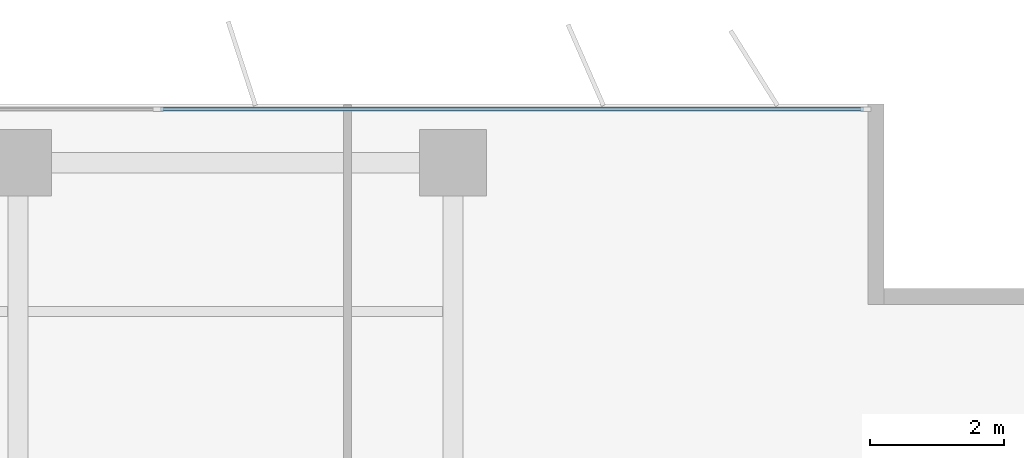
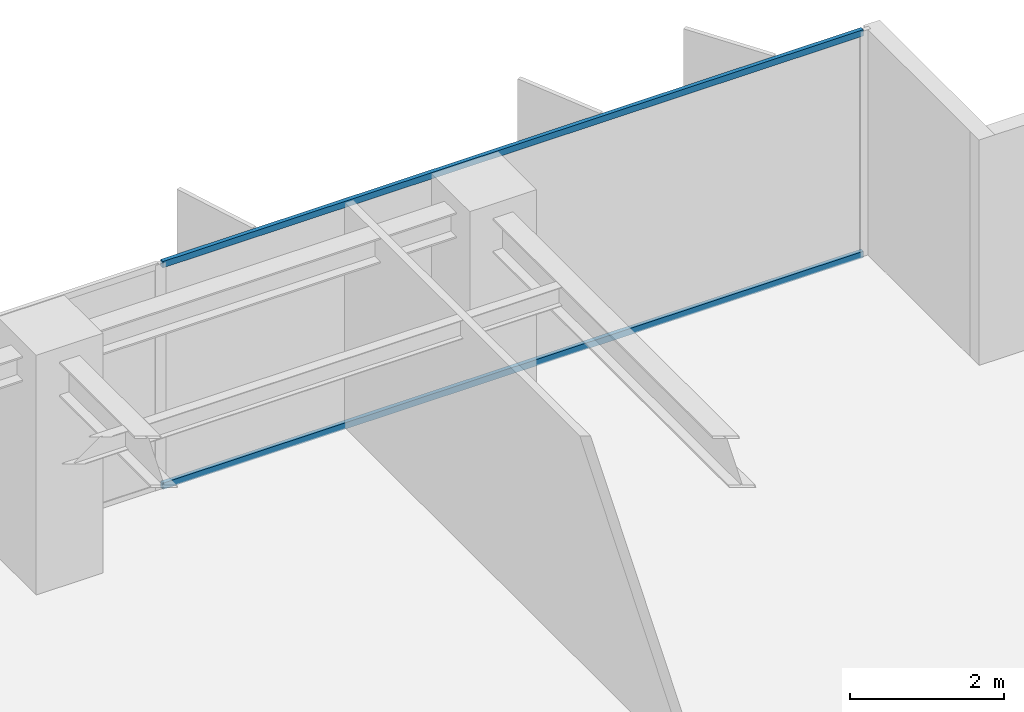
# One storey, part 11 of 22: 2 members, 1 element without a shape of its own.
"""IFC4 building model written with IfcOpenShell, lengths in metres."""

import ifcopenshell
import ifcopenshell.guid

model = None  # the IFC model being written
_history = None  # IfcOwnerHistory: only IFC2X3 demands one
_inside = {}  # id of a spatial element -> (the spatial element, [elements in it])
_under = {}  # id of a project, library or spatial element -> (it, [spatial elements below it])
_declared = {}  # id of a project -> (the project, [libraries it declares])
_typed = {}  # id of a type object -> (the type object, [elements of that type])
_made_of = {}  # id of a material, layer set ... -> (it, [elements and type objects made of it])


def new_model(schema):
    """Start an empty IFC model of exactly this schema.

    Asked for "IFC4X3", IfcOpenShell would pick the latest addendum, in which some entities
    have other attributes; the version numbers below select the first issue.
    IFC2X3 requires an IfcOwnerHistory on every rooted entity: one is made here for all.
    """
    global model, _history
    if schema == "IFC4X3":
        model = ifcopenshell.file(schema_version=(4, 3, 0, 0))
    else:
        model = ifcopenshell.file(schema=schema)
    _inside.clear()
    _under.clear()
    _declared.clear()
    _typed.clear()
    _made_of.clear()
    _history = None
    if model.schema == "IFC2X3":
        org = make("IfcOrganization", Name="unknown")
        user = make(
            "IfcPersonAndOrganization",
            ThePerson=make("IfcPerson", FamilyName="unknown"),
            TheOrganization=org,
        )
        app = make(
            "IfcApplication",
            ApplicationDeveloper=org,
            Version="unknown",
            ApplicationFullName="unknown",
            ApplicationIdentifier="unknown",
        )
        _history = make(
            "IfcOwnerHistory",
            OwningUser=user,
            OwningApplication=app,
            ChangeAction="ADDED",
            CreationDate=0,
        )
    return model


def make(cls, **values):
    """One entity of the class cls with the attributes given. An attribute that is None is left unset."""
    return model.create_entity(
        cls, **{name: value for name, value in values.items() if value is not None}
    )


def rooted(cls, **values):
    """An entity with a GlobalId (a new one), such as an element, a storey or a relation."""
    return make(cls, GlobalId=ifcopenshell.guid.new(), OwnerHistory=_history, **values)


def si_unit(unit_type, name, prefix=None):
    """IfcSIUnit, for example si_unit("LENGTHUNIT", "METRE", prefix="MILLI")."""
    return make("IfcSIUnit", UnitType=unit_type, Prefix=prefix, Name=name)


def assignment(units):
    """IfcUnitAssignment: the units of a project."""
    return None if units is None else make("IfcUnitAssignment", Units=units)


def point(xyz):
    """IfcCartesianPoint."""
    return None if xyz is None else make("IfcCartesianPoint", Coordinates=xyz)


def direction(xyz):
    """IfcDirection."""
    return None if xyz is None else make("IfcDirection", DirectionRatios=xyz)


def frame(location, z_axis=None, x_axis=None):
    """IfcAxis2Placement3D, a coordinate frame: its origin and axes. An axis left out is left unset."""
    return make(
        "IfcAxis2Placement3D",
        Location=point(location),
        Axis=direction(z_axis),
        RefDirection=direction(x_axis),
    )


def frame_2d(location, x_axis=None):
    """IfcAxis2Placement2D, a coordinate frame in the plane: its origin and x axis."""
    return make(
        "IfcAxis2Placement2D", Location=point(location), RefDirection=direction(x_axis)
    )


def origin():
    """The frame at (0, 0, 0) with its axes left unset."""
    return frame((0.0, 0.0, 0.0))


def origin_2d():
    """The frame at (0, 0) in the plane with its x axis left unset."""
    return frame_2d((0.0, 0.0))


def place(relative_to, where):
    """IfcLocalPlacement: puts the frame where relative to a parent placement (None: the world)."""
    return make(
        "IfcLocalPlacement", PlacementRelTo=relative_to, RelativePlacement=where
    )


def context(
    kind, dimensions, precision=None, world=None, true_north=None, identifier=None
):
    """IfcGeometricRepresentationContext, for example the 3D "Model" context."""
    return make(
        "IfcGeometricRepresentationContext",
        ContextIdentifier=identifier,
        ContextType=kind,
        CoordinateSpaceDimension=dimensions,
        Precision=precision,
        WorldCoordinateSystem=world,
        TrueNorth=true_north,
    )


def subcontext(parent, identifier, kind, view, scale=None):
    """IfcGeometricRepresentationSubContext, for example "Body" below "Model"."""
    return make(
        "IfcGeometricRepresentationSubContext",
        ContextIdentifier=identifier,
        ContextType=kind,
        ParentContext=parent,
        TargetScale=scale,
        TargetView=view,
    )


def project(units=None, contexts=None):
    """IfcProject with its units and contexts."""
    return rooted(
        "IfcProject",
        Name="project",
        RepresentationContexts=contexts,
        UnitsInContext=assignment(units),
    )


def spatial(cls, under=None, at=None, **own):
    """A site, building, storey or space (cls), placed at a placement, below another one or the project."""
    s = rooted(cls, ObjectPlacement=at, **own)
    if under is not None:
        _under.setdefault(under.id(), (under, []))[1].append(s)
    return s


def profile(cls, at=None, kind="AREA", **sizes):
    """A parametric profile (cls). Its sizes go by their IFC names, for example OverallWidth=200.0."""
    return make(cls, ProfileType=kind, Position=at, **sizes)


def rectangle(**sizes):
    """IfcRectangleProfileDef."""
    return profile("IfcRectangleProfileDef", **sizes)


def extrude(swept, where, along, depth):
    """IfcExtrudedAreaSolid: the profile swept, set in the frame where, extruded along a direction by depth."""
    return make(
        "IfcExtrudedAreaSolid",
        SweptArea=swept,
        Position=where,
        ExtrudedDirection=direction(along),
        Depth=depth,
    )


def shape(context_of_items, identifier, shape_type, items):
    """IfcShapeRepresentation: the items that make up one representation, for example the "Body"."""
    return make(
        "IfcShapeRepresentation",
        ContextOfItems=context_of_items,
        RepresentationIdentifier=identifier,
        RepresentationType=shape_type,
        Items=items,
    )


def material(Name=None, Category=None):
    """IfcMaterial."""
    return make("IfcMaterial", Name=Name, Category=Category)


def layer(
    of_material, thickness, ventilated=None, Name=None, Category=None, Priority=None
):
    """IfcMaterialLayer: one layer of a wall or slab, of a material (None: an air gap)."""
    return make(
        "IfcMaterialLayer",
        Material=of_material,
        LayerThickness=thickness,
        IsVentilated=ventilated,
        Name=Name,
        Category=Category,
        Priority=Priority,
    )


def layer_set(layers, Name=None):
    """IfcMaterialLayerSet."""
    return make("IfcMaterialLayerSet", MaterialLayers=layers, LayerSetName=Name)


def material_profile(
    of_material, cross_section, Name=None, Category=None, Priority=None
):
    """IfcMaterialProfile: a cross section and its material."""
    return make(
        "IfcMaterialProfile",
        Name=Name,
        Material=of_material,
        Profile=cross_section,
        Priority=Priority,
        Category=Category,
    )


def profile_set(profiles, Name=None, composite=None):
    """IfcMaterialProfileSet."""
    return make(
        "IfcMaterialProfileSet",
        Name=Name,
        MaterialProfiles=profiles,
        CompositeProfile=composite,
    )


def made_of(thing, what):
    """Note that an element or type object is made of a material, layer set ...; save() writes the relation."""
    if what is not None:
        _made_of.setdefault(what.id(), (what, []))[1].append(thing)
    return thing


def type_object(cls, material=None, **own):
    """A type object (cls), such as IfcWallType, which elements share."""
    return made_of(rooted(cls, **own), material)


def element(
    cls,
    number,
    at=None,
    inside=None,
    cuts=None,
    type_object=None,
    material=None,
    context=None,
    identifier="Body",
    shape_type=None,
    held_by="IfcProductDefinitionShape",
    body=None,
    shapes=None,
    **own,
):
    """One element of the class cls, such as IfcWall. Its Tag is "e" and its number.

    at: its placement. inside: the storey or other place that contains it. cuts: it is an
    opening in that element (IfcRelVoidsElement). A single representation is given by context,
    identifier, shape_type and body (its items); several are given by shapes. held_by: the class
    of the entity that holds the representations. save() writes the other relations.
    """
    e = rooted(cls, Tag="e%d" % number, ObjectPlacement=at, **own)
    if body is not None:
        shapes = [shape(context, identifier, shape_type, body)]
    if shapes is not None:
        e.Representation = make(held_by, Representations=shapes)
    if inside is not None:
        _inside.setdefault(inside.id(), (inside, []))[1].append(e)
    if cuts is not None:
        rooted(
            "IfcRelVoidsElement", RelatingBuildingElement=cuts, RelatedOpeningElement=e
        )
    if type_object is not None:
        _typed.setdefault(type_object.id(), (type_object, []))[1].append(e)
    return made_of(e, material)


def aggregate(whole, parts):
    """IfcRelAggregates: a whole, such as a stair, and the parts it consists of."""
    return rooted("IfcRelAggregates", RelatingObject=whole, RelatedObjects=parts)


def save(model, path):
    """Write the relations noted so far, then the file.

    IfcRelAggregates (storeys below a building ...), IfcRelContainedInSpatialStructure (elements
    in a storey), IfcRelDefinesByType, IfcRelAssociatesMaterial and IfcRelDeclares: one each for
    every whole, place, type object, material and project.
    """
    for whole, parts in _under.values():
        aggregate(whole, parts)
    for where, things in _inside.values():
        rooted(
            "IfcRelContainedInSpatialStructure",
            RelatedElements=things,
            RelatingStructure=where,
        )
    for kind, things in _typed.values():
        rooted("IfcRelDefinesByType", RelatedObjects=things, RelatingType=kind)
    for what, things in _made_of.values():
        rooted("IfcRelAssociatesMaterial", RelatedObjects=things, RelatingMaterial=what)
    for by, libraries in _declared.values():
        rooted("IfcRelDeclares", RelatingContext=by, RelatedDefinitions=libraries)
    model.write(path)


model = new_model("IFC4")

# Units and contexts
model_context = context("Model", 3, precision=1e-05, world=origin(), true_north=direction((0.0, 1.0)))
body_context = subcontext(model_context, "Body", "Model", "MODEL_VIEW")
ifc_project = project(units=[si_unit("LENGTHUNIT", "METRE"), si_unit("AREAUNIT", "SQUARE_METRE"), si_unit("VOLUMEUNIT", "CUBIC_METRE"), si_unit("PLANEANGLEUNIT", "RADIAN"), si_unit("MASSUNIT", "GRAM", prefix="KILO")], contexts=[model_context])

# Site, building, storey
site_placement = place(None, origin())
site = spatial("IfcSite", under=ifc_project, at=site_placement, CompositionType="ELEMENT")
building_placement = place(site_placement, origin())
building = spatial("IfcBuilding", under=site, at=building_placement, Name="Putna Gate Headquarters", CompositionType="ELEMENT")
storey_placement = place(building_placement, frame((0.0, 0.0, 155.60009765625)))
storey = spatial("IfcBuildingStorey", under=building, at=storey_placement, Name="L38", CompositionType="ELEMENT", Elevation=155.60009765625)

# Curtain wall, members
ifc_material_1 = material(Name="Anodised bronze aluminium curtain wall", Category="aluminium")
ifc_layer = layer(ifc_material_1, 0.159912109375)
ifc_layer_set = layer_set([ifc_layer], Name="Anodised bronze aluminium curtain wall")
curtain_wall_type = type_object("IfcCurtainWallType", Name="CW-SYS-Z3", PredefinedType="USERDEFINED", material=ifc_layer_set)
curtain_wall_placement = place(storey_placement, origin())
curtain_wall = element("IfcCurtainWall", 1, at=curtain_wall_placement, inside=storey, type_object=curtain_wall_type, Name="L38 North East Curtain Wall", ObjectType="STICK CURTAIN WALL", PredefinedType="USERDEFINED")
ifc_material_2 = material(Name="Anodised bronze aluminium EN AW-6060", Category="aluminium")
ifc_material_profile = material_profile(ifc_material_2, rectangle(XDim=0.06005859375, YDim=0.10009765625, at=origin_2d()), Name="Anodised bronze aluminium EN AW-6060")
ifc_profile_set = profile_set([ifc_material_profile], Name="Anodised bronze aluminium EN AW-6060")
member_type = type_object("IfcMemberType", Name="TRAN-CWT-3", PredefinedType="USERDEFINED", material=ifc_profile_set)
member_1_placement = place(storey_placement, frame((60.632568359375, 48.52001953125, 0.02978515625), z_axis=(1.0, 0.0, 0.0), x_axis=(0.0, 1.0, 0.0)))
member_1 = element("IfcMember", 2, at=member_1_placement, type_object=member_type, Name="CWS-3 transom 2.1", ObjectType="TRANSOM", PredefinedType="USERDEFINED", context=body_context, shape_type="SweptSolid", body=[
    extrude(rectangle(XDim=0.06005859375, YDim=0.10009765625, at=origin_2d()), origin(), (0.0, 0.0, 1.0), 10.50244140625),
])
member_2_placement = place(storey_placement, frame((60.632568359375, 48.52001953125, 3.5419921875), z_axis=(1.0, 0.0, 0.0), x_axis=(0.0, 1.0, 0.0)))
member_2 = element("IfcMember", 3, at=member_2_placement, type_object=member_type, Name="CWS-3 transom 2.2", ObjectType="TRANSOM", PredefinedType="USERDEFINED", context=body_context, shape_type="SweptSolid", body=[
    extrude(rectangle(XDim=0.06005859375, YDim=0.10009765625, at=origin_2d()), origin(), (0.0, 0.0, 1.0), 10.50244140625),
])
aggregate(curtain_wall, [member_1, member_2])

save(model, "model.ifc")
